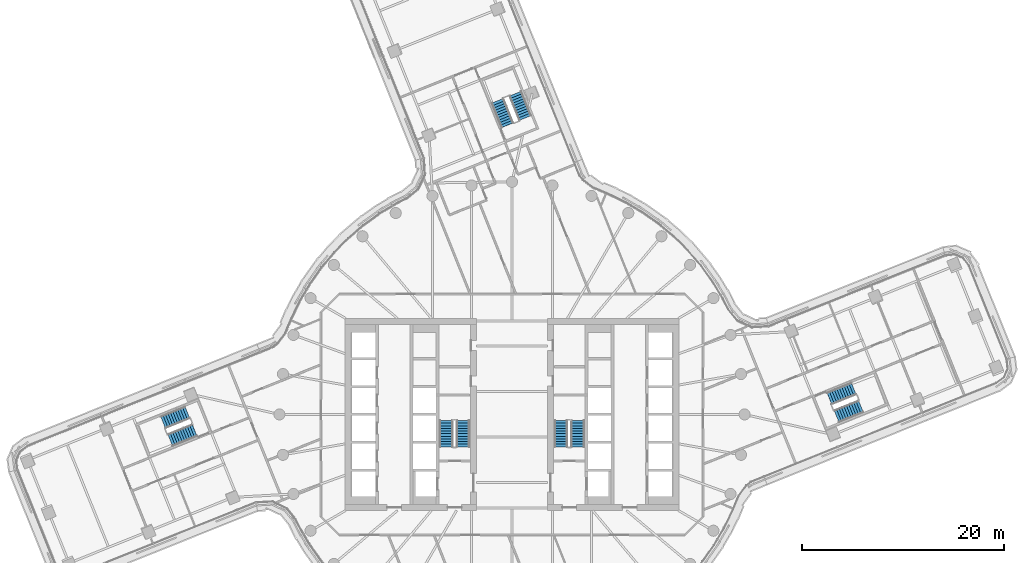
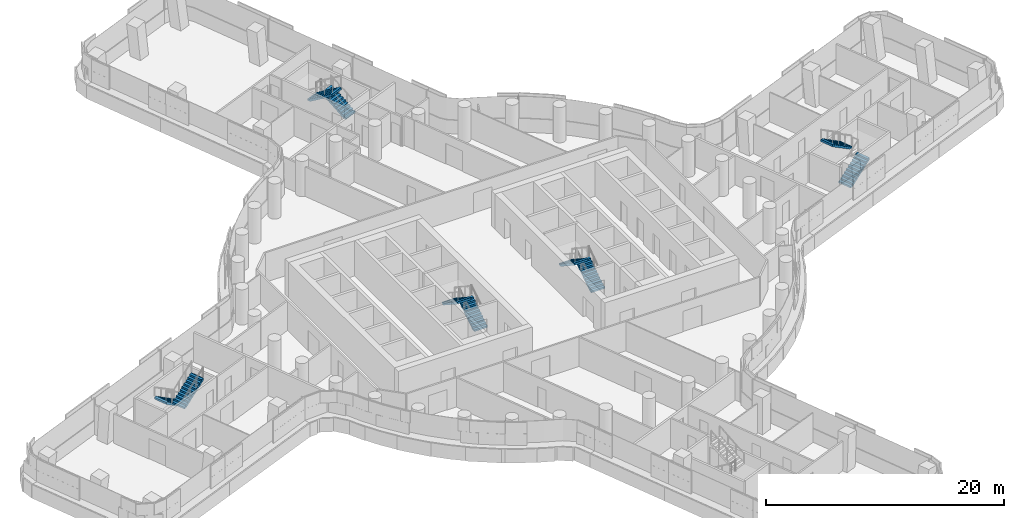
# One storey, part 25 of 32: 10 stair flights, 5 elements without a shape of their own.
"""IFC4 building model written with IfcOpenShell, lengths in metres."""

from ifc_helpers import new_model, si_unit, direction, frame, origin, place, context, subcontext, project, spatial, polyline, outline, extrude, material, type_object, element, aggregate, save


model = new_model("IFC4")

# Units and contexts
model_context = context("Model", 3, precision=1e-05, world=origin(), true_north=direction((0.0, 1.0)))
body_context = subcontext(model_context, "Body", "Model", "MODEL_VIEW")
ifc_project = project(units=[si_unit("LENGTHUNIT", "METRE"), si_unit("AREAUNIT", "SQUARE_METRE"), si_unit("VOLUMEUNIT", "CUBIC_METRE"), si_unit("PLANEANGLEUNIT", "RADIAN"), si_unit("MASSUNIT", "GRAM", prefix="KILO")], contexts=[model_context])

# Site, building, storey
site_placement = place(None, origin())
site = spatial("IfcSite", under=ifc_project, at=site_placement, CompositionType="ELEMENT")
building_placement = place(site_placement, origin())
building = spatial("IfcBuilding", under=site, at=building_placement, Name="Tamarind Cross Interchange Tower", CompositionType="ELEMENT")
storey_placement = place(building_placement, frame((0.0, 0.0, 113.5)))
storey = spatial("IfcBuildingStorey", under=building, at=storey_placement, Name="L27", CompositionType="ELEMENT", Elevation=113.5)

# Stair, stair flights
ifc_material_1 = material(Name="Exit stair")
stair_type = type_object("IfcStairType", Name="Exit stair", PredefinedType="HALF_TURN_STAIR", material=ifc_material_1)
stair_1_placement = place(storey_placement, origin())
stair_1 = element("IfcStair", 1, at=stair_1_placement, inside=storey, type_object=stair_type, Name="L27 exit stair ST1", PredefinedType="HALF_TURN_STAIR")
ifc_material_2 = material(Name="Exit stair flight")
stair_flight_type = type_object("IfcStairFlightType", Name="Exit stair flight", PredefinedType="STRAIGHT", material=ifc_material_2)
stair_flight_1_placement = place(storey_placement, frame((-4.85009765625, -3.199951171875, 0.0), z_axis=(0.0, 0.0, 1.0), x_axis=(0.0, 1.0, 0.0)))
stair_flight_1 = element("IfcStairFlight", 2, at=stair_flight_1_placement, type_object=stair_flight_type, Name="ST1 flight 1", NumberOfRisers=11, NumberOfTreads=10, PredefinedType="STRAIGHT", RiserHeight=0.170454545, TreadLength=0.26, context=body_context, shape_type="SweptSolid", body=[
    extrude(outline(polyline([(0.0, 0.0), (0.0, 0.17041015625), (0.260009765625, 0.17041015625), (0.260009765625, 0.3408203125), (0.52001953125, 0.3408203125), (0.52001953125, 0.511474609375), (0.780029296875, 0.511474609375), (0.780029296875, 0.681884765625), (1.0400390625, 0.681884765625), (1.0400390625, 0.852294921875), (1.300048828125, 0.852294921875), (1.300048828125, 1.022705078125), (1.56005859375, 1.022705078125), (1.56005859375, 1.193115234375), (1.820068359375, 1.193115234375), (1.820068359375, 1.363525390625), (2.080078125, 1.363525390625), (2.080078125, 1.5341796875), (2.340087890625, 1.5341796875), (2.340087890625, 1.70458984375), (2.60009765625, 1.70458984375), (2.60009765625, 1.875), (2.60009765625, 1.525390625), (0.2734375, 0.0), (0.0, 0.0)])), frame((0.0, 0.64990234375, 0.0), z_axis=(0.0, -1.0, 0.0), x_axis=(1.0, 0.0, 0.0)), (0.0, 0.0, 1.0), 1.300048828125),
])
stair_flight_2_placement = place(storey_placement, frame((-6.5, -0.60009765625, 1.875), z_axis=(0.0, 0.0, 1.0), x_axis=(0.0, -1.0, 0.0)))
stair_flight_2 = element("IfcStairFlight", 3, at=stair_flight_2_placement, type_object=stair_flight_type, Name="ST1 flight 2", NumberOfRisers=11, NumberOfTreads=10, PredefinedType="STRAIGHT", RiserHeight=0.170454545, TreadLength=0.26, context=body_context, shape_type="SweptSolid", body=[
    extrude(outline(polyline([(0.0, 0.0), (0.0, 0.17041015625), (0.260009765625, 0.17041015625), (0.260009765625, 0.3408203125), (0.52001953125, 0.3408203125), (0.52001953125, 0.511474609375), (0.780029296875, 0.511474609375), (0.780029296875, 0.681884765625), (1.0400390625, 0.681884765625), (1.0400390625, 0.852294921875), (1.300048828125, 0.852294921875), (1.300048828125, 1.022705078125), (1.56005859375, 1.022705078125), (1.56005859375, 1.193115234375), (1.820068359375, 1.193115234375), (1.820068359375, 1.363525390625), (2.080078125, 1.363525390625), (2.080078125, 1.5341796875), (2.340087890625, 1.5341796875), (2.340087890625, 1.70458984375), (2.60009765625, 1.70458984375), (2.60009765625, 1.7548828125), (2.612060546875, 1.7548828125), (2.612060546875, 1.533203125), (0.2734375, 0.0), (0.0, 0.0)])), frame((0.0, 0.64990234375, 0.0), z_axis=(0.0, -1.0, 0.0), x_axis=(1.0, 0.0, 0.0)), (0.0, 0.0, 1.0), 1.300048828125),
])
aggregate(stair_1, [stair_flight_1, stair_flight_2])

stair_2_placement = place(storey_placement, origin())
stair_2 = element("IfcStair", 4, at=stair_2_placement, inside=storey, type_object=stair_type, Name="L27 exit stair ST2", PredefinedType="HALF_TURN_STAIR")
stair_flight_3_placement = place(storey_placement, frame((6.5, -3.199951171875, 0.0), z_axis=(0.0, 0.0, 1.0), x_axis=(0.0, 1.0, 0.0)))
stair_flight_3 = element("IfcStairFlight", 5, at=stair_flight_3_placement, type_object=stair_flight_type, Name="ST2 flight 1", NumberOfRisers=11, NumberOfTreads=10, PredefinedType="STRAIGHT", RiserHeight=0.170454545, TreadLength=0.26, context=body_context, shape_type="SweptSolid", body=[
    extrude(outline(polyline([(0.0, 0.0), (0.0, 0.17041015625), (0.260009765625, 0.17041015625), (0.260009765625, 0.3408203125), (0.52001953125, 0.3408203125), (0.52001953125, 0.511474609375), (0.780029296875, 0.511474609375), (0.780029296875, 0.681884765625), (1.0400390625, 0.681884765625), (1.0400390625, 0.852294921875), (1.300048828125, 0.852294921875), (1.300048828125, 1.022705078125), (1.56005859375, 1.022705078125), (1.56005859375, 1.193115234375), (1.820068359375, 1.193115234375), (1.820068359375, 1.363525390625), (2.080078125, 1.363525390625), (2.080078125, 1.5341796875), (2.340087890625, 1.5341796875), (2.340087890625, 1.70458984375), (2.60009765625, 1.70458984375), (2.60009765625, 1.875), (2.60009765625, 1.525390625), (0.2734375, 0.0), (0.0, 0.0)])), frame((0.0, 0.64990234375, 0.0), z_axis=(0.0, -1.0, 0.0), x_axis=(1.0, 0.0, 0.0)), (0.0, 0.0, 1.0), 1.300048828125),
])
stair_flight_4_placement = place(storey_placement, frame((4.85009765625, -0.60009765625, 1.875), z_axis=(0.0, 0.0, 1.0), x_axis=(0.0, -1.0, 0.0)))
stair_flight_4 = element("IfcStairFlight", 6, at=stair_flight_4_placement, type_object=stair_flight_type, Name="ST2 flight 2", NumberOfRisers=11, NumberOfTreads=10, PredefinedType="STRAIGHT", RiserHeight=0.170454545, TreadLength=0.26, context=body_context, shape_type="SweptSolid", body=[
    extrude(outline(polyline([(0.0, 0.0), (0.0, 0.17041015625), (0.260009765625, 0.17041015625), (0.260009765625, 0.3408203125), (0.52001953125, 0.3408203125), (0.52001953125, 0.511474609375), (0.780029296875, 0.511474609375), (0.780029296875, 0.681884765625), (1.0400390625, 0.681884765625), (1.0400390625, 0.852294921875), (1.300048828125, 0.852294921875), (1.300048828125, 1.022705078125), (1.56005859375, 1.022705078125), (1.56005859375, 1.193115234375), (1.820068359375, 1.193115234375), (1.820068359375, 1.363525390625), (2.080078125, 1.363525390625), (2.080078125, 1.5341796875), (2.340087890625, 1.5341796875), (2.340087890625, 1.70458984375), (2.60009765625, 1.70458984375), (2.60009765625, 1.7548828125), (2.612060546875, 1.7548828125), (2.612060546875, 1.533203125), (0.2734375, 0.0), (0.0, 0.0)])), frame((0.0, 0.64990234375, 0.0), z_axis=(0.0, -1.0, 0.0), x_axis=(1.0, 0.0, 0.0)), (0.0, 0.0, 1.0), 1.300048828125),
])
aggregate(stair_2, [stair_flight_3, stair_flight_4])

stair_3_placement = place(storey_placement, origin())
stair_3 = element("IfcStair", 7, at=stair_3_placement, inside=storey, type_object=stair_type, Name="L27 exit stair ST3", PredefinedType="HALF_TURN_STAIR")
stair_flight_5_placement = place(storey_placement, frame((32.102294921875, -0.18896484375, 0.0), z_axis=(0.0, 0.0, 1.0), x_axis=(0.927570416192, 0.373648394893, 0.0)))
stair_flight_5 = element("IfcStairFlight", 8, at=stair_flight_5_placement, type_object=stair_flight_type, Name="ST3 flight 1", NumberOfRisers=11, NumberOfTreads=10, PredefinedType="STRAIGHT", RiserHeight=0.170454545, TreadLength=0.26, context=body_context, shape_type="SweptSolid", body=[
    extrude(outline(polyline([(0.0, 0.0), (0.0, 0.17041015625), (0.260009765625, 0.17041015625), (0.260009765625, 0.3408203125), (0.52001953125, 0.3408203125), (0.52001953125, 0.511474609375), (0.780029296875, 0.511474609375), (0.780029296875, 0.681884765625), (1.0400390625, 0.681884765625), (1.0400390625, 0.852294921875), (1.300048828125, 0.852294921875), (1.300048828125, 1.022705078125), (1.56005859375, 1.022705078125), (1.56005859375, 1.193115234375), (1.820068359375, 1.193115234375), (1.820068359375, 1.363525390625), (2.080078125, 1.363525390625), (2.080078125, 1.5341796875), (2.340087890625, 1.5341796875), (2.340087890625, 1.70458984375), (2.60009765625, 1.70458984375), (2.60009765625, 1.875), (2.60009765625, 1.525390625), (0.2734375, 0.0), (0.0, 0.0)])), frame((0.0, 0.64990234375, 0.0), z_axis=(0.0, -1.0, 0.0), x_axis=(1.0, 0.0, 0.0)), (0.0, 0.0, 1.0), 1.300048828125),
])
stair_flight_6_placement = place(storey_placement, frame((33.803955078125, 2.544921875, 1.875), z_axis=(0.0, 0.0, 1.0), x_axis=(-0.927570416192, -0.373648394893, 0.0)))
stair_flight_6 = element("IfcStairFlight", 9, at=stair_flight_6_placement, type_object=stair_flight_type, Name="ST3 flight 2", NumberOfRisers=11, NumberOfTreads=10, PredefinedType="STRAIGHT", RiserHeight=0.170454545, TreadLength=0.26, context=body_context, shape_type="SweptSolid", body=[
    extrude(outline(polyline([(0.0, 0.0), (0.0, 0.17041015625), (0.260009765625, 0.17041015625), (0.260009765625, 0.3408203125), (0.52001953125, 0.3408203125), (0.52001953125, 0.511474609375), (0.780029296875, 0.511474609375), (0.780029296875, 0.681884765625), (1.0400390625, 0.681884765625), (1.0400390625, 0.852294921875), (1.300048828125, 0.852294921875), (1.300048828125, 1.022705078125), (1.56005859375, 1.022705078125), (1.56005859375, 1.193115234375), (1.820068359375, 1.193115234375), (1.820068359375, 1.363525390625), (2.080078125, 1.363525390625), (2.080078125, 1.5341796875), (2.340087890625, 1.5341796875), (2.340087890625, 1.70458984375), (2.60009765625, 1.70458984375), (2.60009765625, 1.7548828125), (2.612060546875, 1.7548828125), (2.612060546875, 1.533203125), (0.2734375, 0.0), (0.0, 0.0)])), frame((0.0, 0.64990234375, 0.0), z_axis=(0.0, -1.0, 0.0), x_axis=(1.0, 0.0, 0.0)), (0.0, 0.0, 1.0), 1.300048828125),
])
aggregate(stair_3, [stair_flight_5, stair_flight_6])

stair_4_placement = place(storey_placement, origin())
stair_4 = element("IfcStair", 10, at=stair_4_placement, inside=storey, type_object=stair_type, Name="L27 exit stair ST4", PredefinedType="HALF_TURN_STAIR")
stair_flight_7_placement = place(storey_placement, frame((1.309814453125, 29.319580078125, 0.0), z_axis=(0.0, 0.0, 1.0), x_axis=(-0.373648394893, 0.927570416192, 0.0)))
stair_flight_7 = element("IfcStairFlight", 11, at=stair_flight_7_placement, type_object=stair_flight_type, Name="ST4 flight 1", NumberOfRisers=11, NumberOfTreads=10, PredefinedType="STRAIGHT", RiserHeight=0.170454545, TreadLength=0.26, context=body_context, shape_type="SweptSolid", body=[
    extrude(outline(polyline([(0.0, 0.0), (0.0, 0.17041015625), (0.260009765625, 0.17041015625), (0.260009765625, 0.3408203125), (0.52001953125, 0.3408203125), (0.52001953125, 0.511474609375), (0.780029296875, 0.511474609375), (0.780029296875, 0.681884765625), (1.0400390625, 0.681884765625), (1.0400390625, 0.852294921875), (1.300048828125, 0.852294921875), (1.300048828125, 1.022705078125), (1.56005859375, 1.022705078125), (1.56005859375, 1.193115234375), (1.820068359375, 1.193115234375), (1.820068359375, 1.363525390625), (2.080078125, 1.363525390625), (2.080078125, 1.5341796875), (2.340087890625, 1.5341796875), (2.340087890625, 1.70458984375), (2.60009765625, 1.70458984375), (2.60009765625, 1.875), (2.60009765625, 1.525390625), (0.2734375, 0.0), (0.0, 0.0)])), frame((0.0, 0.64990234375, 0.0), z_axis=(0.0, -1.0, 0.0), x_axis=(1.0, 0.0, 0.0)), (0.0, 0.0, 1.0), 1.300048828125),
])
stair_flight_8_placement = place(storey_placement, frame((-1.424072265625, 31.021240234375, 1.875), z_axis=(0.0, 0.0, 1.0), x_axis=(0.373648394893, -0.927570416192, 0.0)))
stair_flight_8 = element("IfcStairFlight", 12, at=stair_flight_8_placement, type_object=stair_flight_type, Name="ST4 flight 2", NumberOfRisers=11, NumberOfTreads=10, PredefinedType="STRAIGHT", RiserHeight=0.170454545, TreadLength=0.26, context=body_context, shape_type="SweptSolid", body=[
    extrude(outline(polyline([(0.0, 0.0), (0.0, 0.17041015625), (0.260009765625, 0.17041015625), (0.260009765625, 0.3408203125), (0.52001953125, 0.3408203125), (0.52001953125, 0.511474609375), (0.780029296875, 0.511474609375), (0.780029296875, 0.681884765625), (1.0400390625, 0.681884765625), (1.0400390625, 0.852294921875), (1.300048828125, 0.852294921875), (1.300048828125, 1.022705078125), (1.56005859375, 1.022705078125), (1.56005859375, 1.193115234375), (1.820068359375, 1.193115234375), (1.820068359375, 1.363525390625), (2.080078125, 1.363525390625), (2.080078125, 1.5341796875), (2.340087890625, 1.5341796875), (2.340087890625, 1.70458984375), (2.60009765625, 1.70458984375), (2.60009765625, 1.7548828125), (2.612060546875, 1.7548828125), (2.612060546875, 1.533203125), (0.2734375, 0.0), (0.0, 0.0)])), frame((0.0, 0.64990234375, 0.0), z_axis=(0.0, -1.0, 0.0), x_axis=(1.0, 0.0, 0.0)), (0.0, 0.0, 1.0), 1.300048828125),
])
aggregate(stair_4, [stair_flight_7, stair_flight_8])

stair_5_placement = place(storey_placement, origin())
stair_5 = element("IfcStair", 13, at=stair_5_placement, inside=storey, type_object=stair_type, Name="L27 exit stair ST5", PredefinedType="HALF_TURN_STAIR")
stair_flight_9_placement = place(storey_placement, frame((-32.102294921875, 0.18896484375, 0.0), z_axis=(0.0, 0.0, 1.0), x_axis=(-0.927570416192, -0.373648394893, 0.0)))
stair_flight_9 = element("IfcStairFlight", 14, at=stair_flight_9_placement, type_object=stair_flight_type, Name="ST5 flight 1", NumberOfRisers=11, NumberOfTreads=10, PredefinedType="STRAIGHT", RiserHeight=0.170454545, TreadLength=0.26, context=body_context, shape_type="SweptSolid", body=[
    extrude(outline(polyline([(0.0, 0.0), (0.0, 0.17041015625), (0.260009765625, 0.17041015625), (0.260009765625, 0.3408203125), (0.52001953125, 0.3408203125), (0.52001953125, 0.511474609375), (0.780029296875, 0.511474609375), (0.780029296875, 0.681884765625), (1.0400390625, 0.681884765625), (1.0400390625, 0.852294921875), (1.300048828125, 0.852294921875), (1.300048828125, 1.022705078125), (1.56005859375, 1.022705078125), (1.56005859375, 1.193115234375), (1.820068359375, 1.193115234375), (1.820068359375, 1.363525390625), (2.080078125, 1.363525390625), (2.080078125, 1.5341796875), (2.340087890625, 1.5341796875), (2.340087890625, 1.70458984375), (2.60009765625, 1.70458984375), (2.60009765625, 1.875), (2.60009765625, 1.525390625), (0.2734375, 0.0), (0.0, 0.0)])), frame((0.0, 0.64990234375, 0.0), z_axis=(0.0, -1.0, 0.0), x_axis=(1.0, 0.0, 0.0)), (0.0, 0.0, 1.0), 1.300048828125),
])
stair_flight_10_placement = place(storey_placement, frame((-33.803955078125, -2.544921875, 1.875), z_axis=(0.0, 0.0, 1.0), x_axis=(0.927570416192, 0.373648394893, 0.0)))
stair_flight_10 = element("IfcStairFlight", 15, at=stair_flight_10_placement, type_object=stair_flight_type, Name="ST5 flight 2", NumberOfRisers=11, NumberOfTreads=10, PredefinedType="STRAIGHT", RiserHeight=0.170454545, TreadLength=0.26, context=body_context, shape_type="SweptSolid", body=[
    extrude(outline(polyline([(0.0, 0.0), (0.0, 0.17041015625), (0.260009765625, 0.17041015625), (0.260009765625, 0.3408203125), (0.52001953125, 0.3408203125), (0.52001953125, 0.511474609375), (0.780029296875, 0.511474609375), (0.780029296875, 0.681884765625), (1.0400390625, 0.681884765625), (1.0400390625, 0.852294921875), (1.300048828125, 0.852294921875), (1.300048828125, 1.022705078125), (1.56005859375, 1.022705078125), (1.56005859375, 1.193115234375), (1.820068359375, 1.193115234375), (1.820068359375, 1.363525390625), (2.080078125, 1.363525390625), (2.080078125, 1.5341796875), (2.340087890625, 1.5341796875), (2.340087890625, 1.70458984375), (2.60009765625, 1.70458984375), (2.60009765625, 1.7548828125), (2.612060546875, 1.7548828125), (2.612060546875, 1.533203125), (0.2734375, 0.0), (0.0, 0.0)])), frame((0.0, 0.64990234375, 0.0), z_axis=(0.0, -1.0, 0.0), x_axis=(1.0, 0.0, 0.0)), (0.0, 0.0, 1.0), 1.300048828125),
])
aggregate(stair_5, [stair_flight_9, stair_flight_10])

save(model, "model.ifc")
